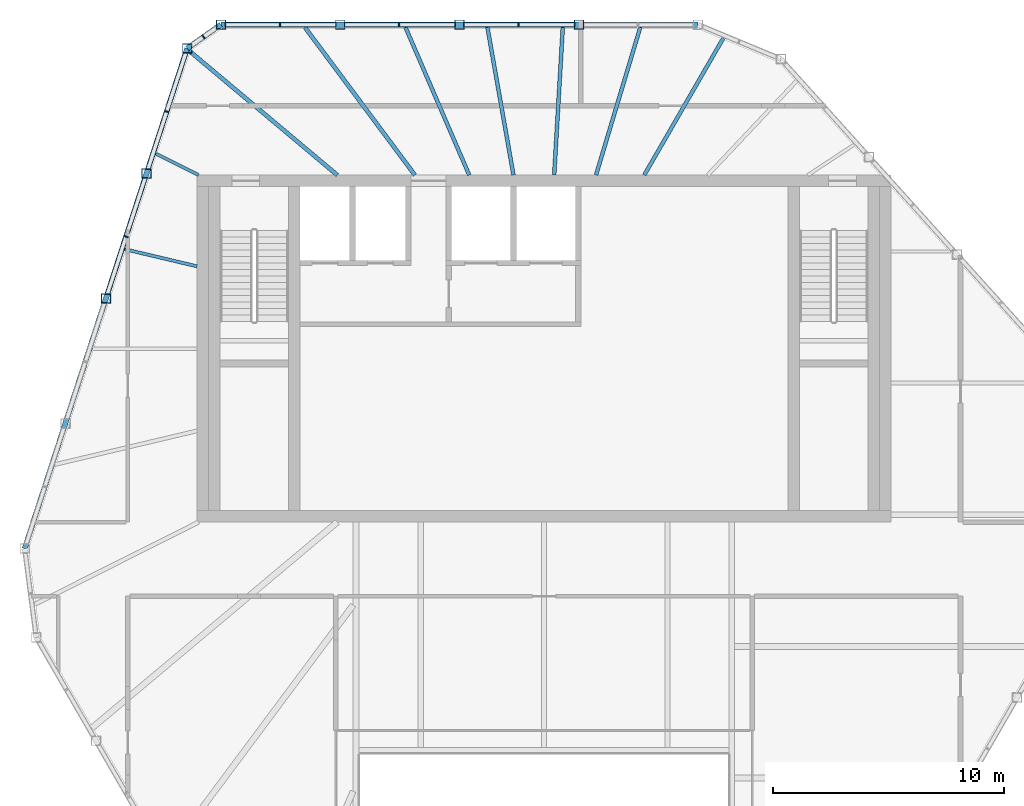
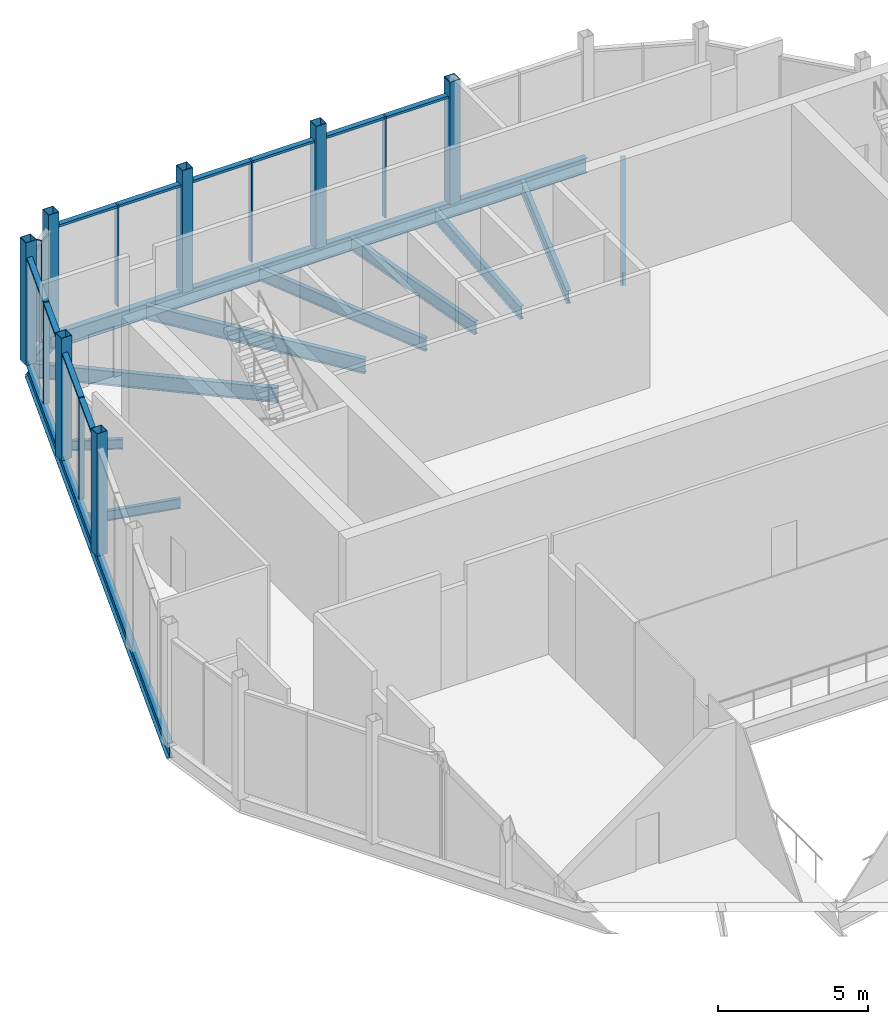
# One storey, part 5 of 12: 23 members, 12 beams, 3 elements without a shape of their own.
"""IFC4 building model written with IfcOpenShell, lengths in metres."""

from ifc_helpers import new_model, si_unit, direction, frame, origin, origin_2d, place, context, subcontext, project, spatial, rectangle, hollow_rectangle, i_section, extrude, material, layer, layer_set, material_profile, profile_set, type_object, element, aggregate, save


model = new_model("IFC4")

# Units and contexts
model_context = context("Model", 3, precision=1e-05, world=origin(), true_north=direction((0.0, 1.0)))
body_context = subcontext(model_context, "Body", "Model", "MODEL_VIEW")
ifc_project = project(units=[si_unit("LENGTHUNIT", "METRE"), si_unit("AREAUNIT", "SQUARE_METRE"), si_unit("VOLUMEUNIT", "CUBIC_METRE"), si_unit("PLANEANGLEUNIT", "RADIAN"), si_unit("MASSUNIT", "GRAM", prefix="KILO")], contexts=[model_context])

# Site, building, storey
site_placement = place(None, origin())
site = spatial("IfcSite", under=ifc_project, at=site_placement, CompositionType="ELEMENT")
building_placement = place(site_placement, origin())
building = spatial("IfcBuilding", under=site, at=building_placement, Name="Isthmus Gate Tower", CompositionType="ELEMENT")
storey_placement = place(building_placement, frame((0.0, 0.0, 306.10009765625)))
storey = spatial("IfcBuildingStorey", under=building, at=storey_placement, Name="C2", CompositionType="ELEMENT", Elevation=306.10009765625)

# Members
ifc_material_1 = material(Name="Structural steel ASTM A500 Gr C", Category="steel")
ifc_material_profile_1 = material_profile(ifc_material_1, hollow_rectangle(XDim=0.406494140625, YDim=0.406494140625, WallThickness=0.017578125, at=origin_2d()), Name="HSS16X16X3/4")
ifc_profile_set_1 = profile_set([ifc_material_profile_1], Name="Structural steel ASTM A500 Gr C")
member_type_1 = type_object("IfcMemberType", Name="CROWN POST HSS16X16X3/4", PredefinedType="POST", material=ifc_profile_set_1)
for number, where, z_axis, x_axis, name in (
    (1, (1.502685546875, 21.5, -0.25), (0.0, 0.0, 1.0), (1.0, 0.0, 0.0), "str-crownpost-C2-02"),
    (2, (-3.65478515625, 21.5, -0.25), (0.0, 0.0, 1.0), (1.0, 0.0, 0.0), "str-crownpost-C2-03"),
    (3, (-8.81201171875, 21.5, -0.25), (0.0, 0.0, 1.0), (1.0, 0.0, 0.0), "str-crownpost-C2-04"),
    (4, (-13.96923828125, 21.5, -0.25), (0.0, 0.0, 1.0), (1.0, 0.0, 0.0), "str-crownpost-C2-05"),
    (5, (-15.425048828125, 20.475830078125, -0.25), (0.0, 0.0, 1.0), (1.0, 0.0, 0.0), "str-crownpost-C2-06"),
    (6, (-17.18115234375, 15.071044921875, -0.25), (0.0, 0.0, 1.0), (1.0, 0.0, 0.0), "str-crownpost-C2-07"),
    (7, (-18.937255859375, 9.666015625, -0.25), (0.0, 0.0, 1.0), (1.0, 0.0, 0.0), "str-crownpost-C2-08"),
):
    element("IfcMember", number, at=place(storey_placement, frame(where, z_axis=z_axis, x_axis=x_axis)), inside=storey, type_object=member_type_1, Name=name, PredefinedType="POST", context=body_context, shape_type="SweptSolid", body=[
        extrude(hollow_rectangle(XDim=0.406494140625, YDim=0.406494140625, WallThickness=0.017578125, at=origin_2d()), origin(), (0.0, 0.0, 1.0), 5.0),
    ])

# Beams
ifc_material_2 = material(Name="Structural steel ASTM A992 Gr 50", Category="steel")
ifc_material_profile_2 = material_profile(ifc_material_2, i_section(OverallWidth=0.231689453125, OverallDepth=0.615966796875, WebThickness=0.0126953125, FlangeThickness=0.022216796875, at=origin_2d()), Name="W24X94")
ifc_profile_set_2 = profile_set([ifc_material_profile_2], Name="Structural steel ASTM A992 Gr 50")
beam_type_1 = type_object("IfcBeamType", Name="CROWN RING BEAM W24X94", PredefinedType="BEAM", material=ifc_profile_set_2)
beam_1_placement = place(storey_placement, frame((6.659912109375, 21.5, -0.55810546875), z_axis=(-1.0, 0.0, 0.0), x_axis=(0.0, -1.0, 0.0)))
element("IfcBeam", 8, at=beam_1_placement, inside=storey, type_object=beam_type_1, Name="str-crownring-C2-00", PredefinedType="BEAM", context=body_context, shape_type="SweptSolid", body=[
    extrude(i_section(OverallWidth=0.231689453125, OverallDepth=0.615966796875, WebThickness=0.0126953125, FlangeThickness=0.022216796875, at=origin_2d()), origin(), (0.0, 0.0, 1.0), 20.629150390625),
])
beam_2_placement = place(storey_placement, frame((-13.96923828125, 21.5, -0.55810546875), z_axis=(-0.817882919468, -0.575384680055, 0.0), x_axis=(0.575384680055, -0.817882919468, 0.0)))
element("IfcBeam", 9, at=beam_2_placement, inside=storey, type_object=beam_type_1, Name="str-crownring-C2-01", PredefinedType="BEAM", context=body_context, shape_type="SweptSolid", body=[
    extrude(i_section(OverallWidth=0.231689453125, OverallDepth=0.615966796875, WebThickness=0.0126953125, FlangeThickness=0.022216796875, at=origin_2d()), origin(), (0.0, 0.0, 1.0), 1.780029296875),
])
beam_3_placement = place(storey_placement, frame((-15.425048828125, 20.475830078125, -0.55810546875), z_axis=(-0.309011031074, -0.951058453868, 0.0), x_axis=(0.951058453868, -0.309011031074, 0.0)))
element("IfcBeam", 10, at=beam_3_placement, inside=storey, type_object=beam_type_1, Name="str-crownring-C2-02", PredefinedType="BEAM", context=body_context, shape_type="SweptSolid", body=[
    extrude(i_section(OverallWidth=0.231689453125, OverallDepth=0.615966796875, WebThickness=0.0126953125, FlangeThickness=0.022216796875, at=origin_2d()), origin(), (0.0, 0.0, 1.0), 22.73193359375),
])

# Curtain wall, members
ifc_material_3 = material(Name="Aluminium, pale champagne anodised", Category="aluminium")
ifc_layer = layer(ifc_material_3, 0.199951171875)
ifc_layer_set = layer_set([ifc_layer], Name="CW-2 LOUVRE CURTAIN WALL 200 DEEP")
curtain_wall_type = type_object("IfcCurtainWallType", Name="CW-2 LOUVRE CURTAIN WALL 200 DEEP", PredefinedType="NOTDEFINED", material=ifc_layer_set)
curtain_wall_1_placement = place(storey_placement, origin())
curtain_wall_1 = element("IfcCurtainWall", 11, at=curtain_wall_1_placement, inside=storey, type_object=curtain_wall_type, Name="CW-2 E00 C2", PredefinedType="NOTDEFINED")
ifc_material_4 = material(Name="Aluminium, pale champagne anodised", Category="aluminium")
ifc_material_profile_3 = material_profile(ifc_material_4, rectangle(XDim=0.06005859375, YDim=0.199951171875, at=origin_2d()), Name="60x200")
ifc_profile_set_3 = profile_set([ifc_material_profile_3], Name="Aluminium, pale champagne anodised")
member_type_2 = type_object("IfcMemberType", Name="CW-2 MULLION 60 X 200", PredefinedType="MULLION", material=ifc_profile_set_3)
member_1_placement = place(storey_placement, frame((-1.10595703125, 21.5, 0.0), z_axis=(0.0, 0.0, 1.0), x_axis=(-1.0, 0.0, 0.0)))
member_1 = element("IfcMember", 12, at=member_1_placement, type_object=member_type_2, Name="CW-2 mullion", PredefinedType="MULLION", context=body_context, shape_type="SweptSolid", body=[
    extrude(rectangle(XDim=0.06005859375, YDim=0.199951171875, at=origin_2d()), origin(), (0.0, 0.0, 1.0), 4.134033203125),
])
member_2_placement = place(storey_placement, frame((-6.263427734375, 21.5, 0.0), z_axis=(0.0, 0.0, 1.0), x_axis=(-1.0, 0.0, 0.0)))
member_2 = element("IfcMember", 13, at=member_2_placement, type_object=member_type_2, Name="CW-2 mullion", PredefinedType="MULLION", context=body_context, shape_type="SweptSolid", body=[
    extrude(rectangle(XDim=0.06005859375, YDim=0.199951171875, at=origin_2d()), origin(), (0.0, 0.0, 1.0), 4.134033203125),
])
member_3_placement = place(storey_placement, frame((-11.420654296875, 21.5, 0.0), z_axis=(0.0, 0.0, 1.0), x_axis=(-1.0, 0.0, 0.0)))
member_3 = element("IfcMember", 14, at=member_3_placement, type_object=member_type_2, Name="CW-2 mullion", PredefinedType="MULLION", context=body_context, shape_type="SweptSolid", body=[
    extrude(rectangle(XDim=0.06005859375, YDim=0.199951171875, at=origin_2d()), origin(), (0.0, 0.0, 1.0), 4.134033203125),
])

# Curtain wall, member
curtain_wall_2_placement = place(storey_placement, origin())
curtain_wall_2 = element("IfcCurtainWall", 15, at=curtain_wall_2_placement, inside=storey, type_object=curtain_wall_type, Name="CW-2 E01 C2", PredefinedType="NOTDEFINED")
member_4_placement = place(storey_placement, frame((-14.7216796875, 20.970703125, 0.0), z_axis=(0.0, 0.0, 1.0), x_axis=(-0.81785959165, -0.57541783805, 0.0)))
member_4 = element("IfcMember", 16, at=member_4_placement, type_object=member_type_2, Name="CW-2 mullion", PredefinedType="MULLION", context=body_context, shape_type="SweptSolid", body=[
    extrude(rectangle(XDim=0.06005859375, YDim=0.199951171875, at=origin_2d()), origin(), (0.0, 0.0, 1.0), 4.134033203125),
])
aggregate(curtain_wall_2, [member_4])

# Curtain wall, members
curtain_wall_3_placement = place(storey_placement, origin())
curtain_wall_3 = element("IfcCurtainWall", 17, at=curtain_wall_3_placement, inside=storey, type_object=curtain_wall_type, Name="CW-2 E02 C2", PredefinedType="NOTDEFINED")
member_5_placement = place(storey_placement, frame((-16.312255859375, 17.744873046875, 0.0), z_axis=(0.0, 0.0, 1.0), x_axis=(-0.309016994375, -0.951056516295, 0.0)))
member_5 = element("IfcMember", 18, at=member_5_placement, type_object=member_type_2, Name="CW-2 mullion", PredefinedType="MULLION", context=body_context, shape_type="SweptSolid", body=[
    extrude(rectangle(XDim=0.06005859375, YDim=0.199951171875, at=origin_2d()), origin(), (0.0, 0.0, 1.0), 4.134033203125),
])
member_6_placement = place(storey_placement, frame((-18.068359375, 12.340087890625, 0.0), z_axis=(0.0, 0.0, 1.0), x_axis=(-0.309016994375, -0.951056516295, 0.0)))
member_6 = element("IfcMember", 19, at=member_6_placement, type_object=member_type_2, Name="CW-2 mullion", PredefinedType="MULLION", context=body_context, shape_type="SweptSolid", body=[
    extrude(rectangle(XDim=0.06005859375, YDim=0.199951171875, at=origin_2d()), origin(), (0.0, 0.0, 1.0), 4.134033203125),
])

# Member
ifc_material_5 = material(Name="Aluminium, pale champagne anodised", Category="aluminium")
ifc_material_profile_4 = material_profile(ifc_material_5, rectangle(XDim=0.199951171875, YDim=0.10009765625, at=origin_2d()), Name="200x100")
ifc_profile_set_4 = profile_set([ifc_material_profile_4], Name="Aluminium, pale champagne anodised")
member_type_3 = type_object("IfcMemberType", Name="CW-2 TRANSOM 200 X 100", PredefinedType="USERDEFINED", material=ifc_profile_set_4)
member_7_placement = place(storey_placement, frame((1.299560546875, 21.5, 4.083984375), z_axis=(-1.0, 0.0, 0.0), x_axis=(0.0, -1.0, 0.0)))
member_7 = element("IfcMember", 20, at=member_7_placement, type_object=member_type_3, Name="CW-2 transom", ObjectType="TRANSOM", PredefinedType="USERDEFINED", context=body_context, shape_type="SweptSolid", body=[
    extrude(rectangle(XDim=0.199951171875, YDim=0.10009765625, at=origin_2d()), origin(), (0.0, 0.0, 1.0), 2.37548828125),
])

member_8_placement = place(storey_placement, frame((-1.135986328125, 21.5, 4.083984375), z_axis=(-1.0, 0.0, 0.0), x_axis=(0.0, -1.0, 0.0)))
member_8 = element("IfcMember", 21, at=member_8_placement, type_object=member_type_3, Name="CW-2 transom", ObjectType="TRANSOM", PredefinedType="USERDEFINED", context=body_context, shape_type="SweptSolid", body=[
    extrude(rectangle(XDim=0.199951171875, YDim=0.10009765625, at=origin_2d()), origin(), (0.0, 0.0, 1.0), 2.3154296875),
])

member_9_placement = place(storey_placement, frame((-3.85791015625, 21.5, 4.083984375), z_axis=(-1.0, 0.0, 0.0), x_axis=(0.0, -1.0, 0.0)))
member_9 = element("IfcMember", 22, at=member_9_placement, type_object=member_type_3, Name="CW-2 transom", ObjectType="TRANSOM", PredefinedType="USERDEFINED", context=body_context, shape_type="SweptSolid", body=[
    extrude(rectangle(XDim=0.199951171875, YDim=0.10009765625, at=origin_2d()), origin(), (0.0, 0.0, 1.0), 2.37548828125),
])

member_10_placement = place(storey_placement, frame((-6.293212890625, 21.5, 4.083984375), z_axis=(-1.0, 0.0, 0.0), x_axis=(0.0, -1.0, 0.0)))
member_10 = element("IfcMember", 23, at=member_10_placement, type_object=member_type_3, Name="CW-2 transom", ObjectType="TRANSOM", PredefinedType="USERDEFINED", context=body_context, shape_type="SweptSolid", body=[
    extrude(rectangle(XDim=0.199951171875, YDim=0.10009765625, at=origin_2d()), origin(), (0.0, 0.0, 1.0), 2.315673828125),
])

member_11_placement = place(storey_placement, frame((-9.01513671875, 21.5, 4.083984375), z_axis=(-1.0, 0.0, 0.0), x_axis=(0.0, -1.0, 0.0)))
member_11 = element("IfcMember", 24, at=member_11_placement, type_object=member_type_3, Name="CW-2 transom", ObjectType="TRANSOM", PredefinedType="USERDEFINED", context=body_context, shape_type="SweptSolid", body=[
    extrude(rectangle(XDim=0.199951171875, YDim=0.10009765625, at=origin_2d()), origin(), (0.0, 0.0, 1.0), 2.37548828125),
])

member_12_placement = place(storey_placement, frame((-11.45068359375, 21.5, 4.083984375), z_axis=(-1.0, 0.0, 0.0), x_axis=(0.0, -1.0, 0.0)))
member_12 = element("IfcMember", 25, at=member_12_placement, type_object=member_type_3, Name="CW-2 transom", ObjectType="TRANSOM", PredefinedType="USERDEFINED", context=body_context, shape_type="SweptSolid", body=[
    extrude(rectangle(XDim=0.199951171875, YDim=0.10009765625, at=origin_2d()), origin(), (0.0, 0.0, 1.0), 2.3154296875),
])

aggregate(curtain_wall_1, [member_7, member_1, member_8, member_9, member_2, member_10, member_11, member_3, member_12])

member_13_placement = place(storey_placement, frame((-15.48779296875, 20.28271484375, 4.083984375), z_axis=(-0.308973082722, -0.951070782935, 0.0), x_axis=(0.951070782935, -0.308973082722, 0.0)))
member_13 = element("IfcMember", 26, at=member_13_placement, type_object=member_type_3, Name="CW-2 transom", ObjectType="TRANSOM", PredefinedType="USERDEFINED", context=body_context, shape_type="SweptSolid", body=[
    extrude(rectangle(XDim=0.199951171875, YDim=0.10009765625, at=origin_2d()), origin(), (0.0, 0.0, 1.0), 2.638427734375),
])

member_14_placement = place(storey_placement, frame((-16.321533203125, 17.71630859375, 4.083984375), z_axis=(-0.309060379712, -0.951042418451, 0.0), x_axis=(0.951042418451, -0.309060379712, 0.0)))
member_14 = element("IfcMember", 27, at=member_14_placement, type_object=member_type_3, Name="CW-2 transom", ObjectType="TRANSOM", PredefinedType="USERDEFINED", context=body_context, shape_type="SweptSolid", body=[
    extrude(rectangle(XDim=0.199951171875, YDim=0.10009765625, at=origin_2d()), origin(), (0.0, 0.0, 1.0), 2.578369140625),
])

member_15_placement = place(storey_placement, frame((-17.243896484375, 14.877685546875, 4.083984375), z_axis=(-0.309000276774, -0.951061948011, 0.0), x_axis=(0.951061948011, -0.309000276774, 0.0)))
member_15 = element("IfcMember", 28, at=member_15_placement, type_object=member_type_3, Name="CW-2 transom", ObjectType="TRANSOM", PredefinedType="USERDEFINED", context=body_context, shape_type="SweptSolid", body=[
    extrude(rectangle(XDim=0.199951171875, YDim=0.10009765625, at=origin_2d()), origin(), (0.0, 0.0, 1.0), 2.63818359375),
])

member_16_placement = place(storey_placement, frame((-18.07763671875, 12.3115234375, 4.083984375), z_axis=(-0.309060379712, -0.951042418451, 0.0), x_axis=(0.951042418451, -0.309060379712, 0.0)))
member_16 = element("IfcMember", 29, at=member_16_placement, type_object=member_type_3, Name="CW-2 transom", ObjectType="TRANSOM", PredefinedType="USERDEFINED", context=body_context, shape_type="SweptSolid", body=[
    extrude(rectangle(XDim=0.199951171875, YDim=0.10009765625, at=origin_2d()), origin(), (0.0, 0.0, 1.0), 2.578369140625),
])

aggregate(curtain_wall_3, [member_13, member_5, member_14, member_15, member_6, member_16])

# Beams
ifc_material_6 = material(Name="Structural steel ASTM A992 Gr 50", Category="steel")
ifc_material_profile_5 = material_profile(ifc_material_6, i_section(OverallWidth=0.1396484375, OverallDepth=0.4033203125, WebThickness=0.00634765625, FlangeThickness=0.010986328125, at=origin_2d()), Name="W16X31")
ifc_profile_set_5 = profile_set([ifc_material_profile_5], Name="Structural steel ASTM A992 Gr 50")
beam_type_2 = type_object("IfcBeamType", Name="STEEL FLOOR BEAM W16X31", PredefinedType="JOIST", material=ifc_profile_set_5)
beam_4_placement = place(storey_placement, frame((-14.933837890625, 15.0, -0.45166015625), z_axis=(-0.893622598521, 0.448819174515, 0.0), x_axis=(-0.448819174515, -0.893622598521, 0.0)))
element("IfcBeam", 30, at=beam_4_placement, inside=storey, type_object=beam_type_2, Name="str-beam-C2-00-09", PredefinedType="JOIST", context=body_context, shape_type="SweptSolid", body=[
    extrude(i_section(OverallWidth=0.1396484375, OverallDepth=0.4033203125, WebThickness=0.00634765625, FlangeThickness=0.010986328125, at=origin_2d()), origin(), (0.0, 0.0, 1.0), 2.067138671875),
])
beam_5_placement = place(storey_placement, frame((-15.0, 11.05517578125, -0.45166015625), z_axis=(-0.973048858966, 0.230599041768, 0.0), x_axis=(-0.230599041768, -0.973048858966, 0.0)))
element("IfcBeam", 31, at=beam_5_placement, inside=storey, type_object=beam_type_2, Name="str-beam-C2-00-10", PredefinedType="JOIST", context=body_context, shape_type="SweptSolid", body=[
    extrude(i_section(OverallWidth=0.1396484375, OverallDepth=0.4033203125, WebThickness=0.00634765625, FlangeThickness=0.010986328125, at=origin_2d()), origin(), (0.0, 0.0, 1.0), 3.2099609375),
])
ifc_material_7 = material(Name="Structural steel ASTM A992 Gr 50", Category="steel")
ifc_material_profile_6 = material_profile(ifc_material_7, i_section(OverallWidth=0.1650390625, OverallDepth=0.52392578125, WebThickness=0.009521484375, FlangeThickness=0.010986328125, at=origin_2d()), Name="W21X44")
ifc_profile_set_6 = profile_set([ifc_material_profile_6], Name="Structural steel ASTM A992 Gr 50")
beam_type_3 = type_object("IfcBeamType", Name="STEEL FLOOR BEAM W21X44", PredefinedType="JOIST", material=ifc_profile_set_6)
beam_6_placement = place(storey_placement, frame((4.330078125, 15.0, -0.511962890625), z_axis=(0.500009887181, 0.866019695343, 0.0), x_axis=(-0.866019695343, 0.500009887181, 0.0)))
element("IfcBeam", 32, at=beam_6_placement, inside=storey, type_object=beam_type_3, Name="str-beam-C2-00-02", PredefinedType="JOIST", context=body_context, shape_type="SweptSolid", body=[
    extrude(i_section(OverallWidth=0.1650390625, OverallDepth=0.52392578125, WebThickness=0.009521484375, FlangeThickness=0.010986328125, at=origin_2d()), origin(), (0.0, 0.0, 1.0), 6.837646484375),
])
beam_7_placement = place(storey_placement, frame((2.245361328125, 15.0, -0.511962890625), z_axis=(0.286820154799, 0.957984446012, 0.0), x_axis=(-0.957984446012, 0.286820154799, 0.0)))
element("IfcBeam", 33, at=beam_7_placement, inside=storey, type_object=beam_type_3, Name="str-beam-C2-00-03", PredefinedType="JOIST", context=body_context, shape_type="SweptSolid", body=[
    extrude(i_section(OverallWidth=0.1650390625, OverallDepth=0.52392578125, WebThickness=0.009521484375, FlangeThickness=0.010986328125, at=origin_2d()), origin(), (0.0, 0.0, 1.0), 6.6640625),
])
beam_8_placement = place(storey_placement, frame((0.436767578125, 15.0, -0.511962890625), z_axis=(0.058144607621, 0.99830817116, 0.0), x_axis=(-0.99830817116, 0.058144607621, 0.0)))
element("IfcBeam", 34, at=beam_8_placement, inside=storey, type_object=beam_type_3, Name="str-beam-C2-00-04", PredefinedType="JOIST", context=body_context, shape_type="SweptSolid", body=[
    extrude(i_section(OverallWidth=0.1650390625, OverallDepth=0.52392578125, WebThickness=0.009521484375, FlangeThickness=0.010986328125, at=origin_2d()), origin(), (0.0, 0.0, 1.0), 6.394775390625),
])
beam_9_placement = place(storey_placement, frame((-1.322509765625, 15.0, -0.511962890625), z_axis=(-0.173656424488, 0.984806298839, 0.0), x_axis=(-0.984806298839, -0.173656424488, 0.0)))
element("IfcBeam", 35, at=beam_9_placement, inside=storey, type_object=beam_type_3, Name="str-beam-C2-00-05", PredefinedType="JOIST", context=body_context, shape_type="SweptSolid", body=[
    extrude(i_section(OverallWidth=0.1650390625, OverallDepth=0.52392578125, WebThickness=0.009521484375, FlangeThickness=0.010986328125, at=origin_2d()), origin(), (0.0, 0.0, 1.0), 6.482421875),
])
beam_10_placement = place(storey_placement, frame((-3.235107421875, 15.0, -0.511962890625), z_axis=(-0.396092272434, 0.918210712047, 0.0), x_axis=(-0.918210712047, -0.396092272434, 0.0)))
element("IfcBeam", 36, at=beam_10_placement, inside=storey, type_object=beam_type_3, Name="str-beam-C2-00-06", PredefinedType="JOIST", context=body_context, shape_type="SweptSolid", body=[
    extrude(i_section(OverallWidth=0.1650390625, OverallDepth=0.52392578125, WebThickness=0.009521484375, FlangeThickness=0.010986328125, at=origin_2d()), origin(), (0.0, 0.0, 1.0), 6.95263671875),
])
ifc_material_8 = material(Name="Structural steel ASTM A992 Gr 50", Category="steel")
ifc_material_profile_7 = material_profile(ifc_material_8, i_section(OverallWidth=0.177734375, OverallDepth=0.60009765625, WebThickness=0.009521484375, FlangeThickness=0.0126953125, at=origin_2d()), Name="W24X55")
ifc_profile_set_7 = profile_set([ifc_material_profile_7], Name="Structural steel ASTM A992 Gr 50")
beam_type_4 = type_object("IfcBeamType", Name="STEEL FLOOR BEAM W24X55", PredefinedType="JOIST", material=ifc_profile_set_7)
beam_11_placement = place(storey_placement, frame((-5.58349609375, 15.0, -0.550048828125), z_axis=(-0.5971741985, 0.802111573689, 0.0), x_axis=(-0.802111573689, -0.5971741985, 0.0)))
element("IfcBeam", 37, at=beam_11_placement, inside=storey, type_object=beam_type_4, Name="str-beam-C2-00-07", PredefinedType="JOIST", context=body_context, shape_type="SweptSolid", body=[
    extrude(i_section(OverallWidth=0.177734375, OverallDepth=0.60009765625, WebThickness=0.009521484375, FlangeThickness=0.0126953125, at=origin_2d()), origin(), (0.0, 0.0, 1.0), 7.958984375),
])
beam_12_placement = place(storey_placement, frame((-8.938232421875, 15.0, -0.550048828125), z_axis=(-0.766051343839, 0.64277938564, 0.0), x_axis=(-0.64277938564, -0.766051343839, 0.0)))
element("IfcBeam", 38, at=beam_12_placement, inside=storey, type_object=beam_type_4, Name="str-beam-C2-00-08", PredefinedType="JOIST", context=body_context, shape_type="SweptSolid", body=[
    extrude(i_section(OverallWidth=0.177734375, OverallDepth=0.60009765625, WebThickness=0.009521484375, FlangeThickness=0.0126953125, at=origin_2d()), origin(), (0.0, 0.0, 1.0), 8.353759765625),
])

save(model, "model.ifc")
